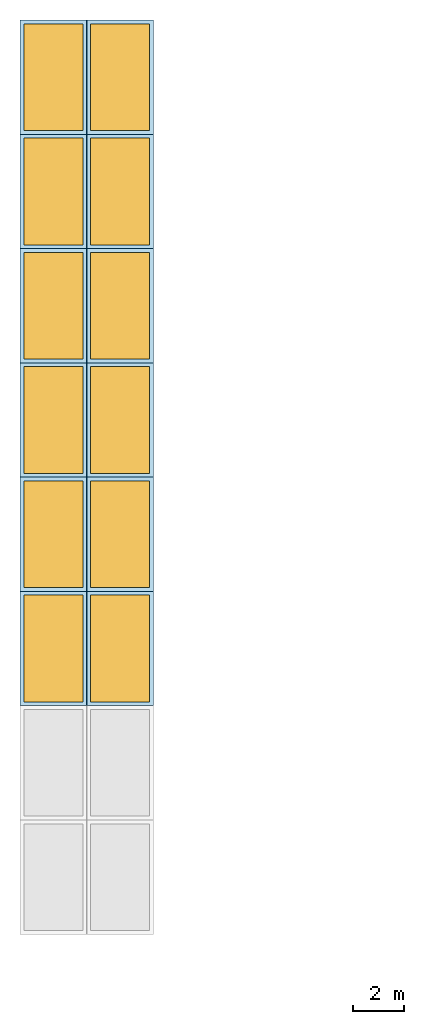
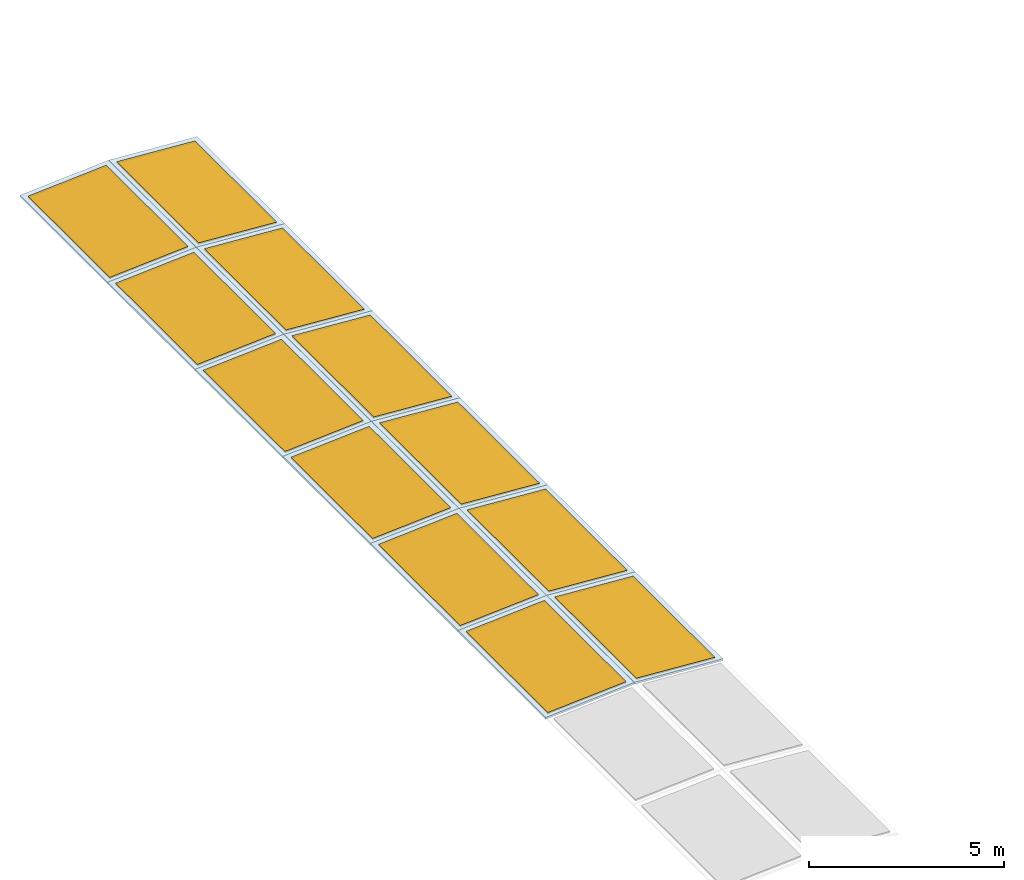
# One storey, part 10 of 19: 12 slabs, 12 windows, 12 openings.
"""IFC4 building model written with IfcOpenShell, lengths in metres."""

from ifc_helpers import new_model, si_unit, direction, frame, origin, origin_2d, place, context, subcontext, project, spatial, polyline, rectangle, outline, extrude, material, layer, layer_set, type_object, element, fill, save


model = new_model("IFC4")

# Units and contexts
model_context = context("Model", 3, precision=1e-05, world=origin(), true_north=direction((0.0, 1.0)))
body_context = subcontext(model_context, "Body", "Model", "MODEL_VIEW")
ifc_project = project(units=[si_unit("LENGTHUNIT", "METRE"), si_unit("AREAUNIT", "SQUARE_METRE"), si_unit("VOLUMEUNIT", "CUBIC_METRE"), si_unit("PLANEANGLEUNIT", "RADIAN"), si_unit("MASSUNIT", "GRAM", prefix="KILO")], contexts=[model_context])

# Site, building, storey
site_placement = place(None, origin())
site = spatial("IfcSite", under=ifc_project, at=site_placement, CompositionType="ELEMENT")
building_placement = place(site_placement, origin())
building = spatial("IfcBuilding", under=site, at=building_placement, Name="Guidao Yard Department Store", CompositionType="ELEMENT")
storey_placement = place(building_placement, frame((0.0, 0.0, 33.0)))
storey = spatial("IfcBuildingStorey", under=building, at=storey_placement, Name="L07", CompositionType="ELEMENT", Elevation=33.0)

# Slab, opening, window
ifc_material_1 = material(Name="Aluminium 6063-T5", Category="aluminium")
ifc_layer = layer(ifc_material_1, 0.06005859375)
ifc_layer_set = layer_set([ifc_layer], Name="Smoke vent frame SV2 aluminium")
slab_type = type_object("IfcSlabType", Name="Smoke vent frame SV2 aluminium", PredefinedType="ROOF", material=ifc_layer_set)
slab_1_placement = place(storey_placement, frame((28.873046875, 63.0, 1.9853515625), z_axis=(-0.068349512992, 0.0, 0.9976614376), x_axis=(0.9976614376, 0.0, 0.068349512992)))
slab_1 = element("IfcSlab", 1, at=slab_1_placement, inside=storey, type_object=slab_type, Name="Smoke vent frame A02-06A", PredefinedType="ROOF", context=body_context, shape_type="SweptSolid", body=[
    extrude(outline(polyline([(0.0, 0.0), (2.628950699633074, 0.0), (2.628950699633074, 4.499999999999999), (0.0, 4.499999999999999), (0.0, 0.0)])), origin(), (0.0, 0.0, -1.0), 0.06005859375),
])
opening_1_placement = place(slab_1_placement, frame((1.314697265625, 2.25, 0.0)))
opening_1 = element("IfcOpeningElement", 2, at=opening_1_placement, cuts=slab_1, Name="Opening SW-A02-06A", PredefinedType="OPENING", context=body_context, shape_type="SweptSolid", body=[
    extrude(rectangle(XDim=2.3291015625, YDim=4.199951171875, at=origin_2d()), frame((0.0, 0.0, 0.010009765625)), (0.0, 0.0, -1.0), 0.080078125),
])
ifc_material_2 = material(Name="Laminated glass in Aluminium 6063-T5 frame", Category="aluminium")
window_type = type_object("IfcWindowType", Name="Smoke vent SV2 operable skylight", PartitioningType="SINGLE_PANEL", PredefinedType="SKYLIGHT", material=ifc_material_2)
window_1_placement = place(opening_1_placement, frame((0.0, 0.0, -0.050048828125)))
window_1 = element("IfcWindow", 3, at=window_1_placement, inside=storey, type_object=window_type, Name="Smoke vent A02-06A", OverallHeight=4.199951171875, OverallWidth=2.3291015625, PartitioningType="SINGLE_PANEL", PredefinedType="SKYLIGHT", context=body_context, shape_type="SweptSolid", body=[
    extrude(rectangle(XDim=2.3291015625, YDim=4.199951171875, at=origin_2d()), origin(), (0.0, 0.0, 1.0), 0.050048828125),
])
fill(opening_1, window_1)

slab_2_placement = place(storey_placement, frame((28.873046875, 67.5, 1.9853515625), z_axis=(-0.068349512992, 0.0, 0.9976614376), x_axis=(0.9976614376, 0.0, 0.068349512992)))
slab_2 = element("IfcSlab", 4, at=slab_2_placement, inside=storey, type_object=slab_type, Name="Smoke vent frame A02-06B", PredefinedType="ROOF", context=body_context, shape_type="SweptSolid", body=[
    extrude(outline(polyline([(0.0, 0.0), (2.628950699633074, 0.0), (2.628950699633074, 4.499999999999999), (0.0, 4.499999999999999), (0.0, 0.0)])), origin(), (0.0, 0.0, -1.0), 0.06005859375),
])
opening_2_placement = place(slab_2_placement, frame((1.314697265625, 2.25, 0.0)))
opening_2 = element("IfcOpeningElement", 5, at=opening_2_placement, cuts=slab_2, Name="Opening SW-A02-06B", PredefinedType="OPENING", context=body_context, shape_type="SweptSolid", body=[
    extrude(rectangle(XDim=2.3291015625, YDim=4.199951171875, at=origin_2d()), frame((0.0, 0.0, 0.010009765625)), (0.0, 0.0, -1.0), 0.080078125),
])
window_2_placement = place(opening_2_placement, frame((0.0, 0.0, -0.050048828125)))
window_2 = element("IfcWindow", 6, at=window_2_placement, inside=storey, type_object=window_type, Name="Smoke vent A02-06B", OverallHeight=4.199951171875, OverallWidth=2.3291015625, PartitioningType="SINGLE_PANEL", PredefinedType="SKYLIGHT", context=body_context, shape_type="SweptSolid", body=[
    extrude(rectangle(XDim=2.3291015625, YDim=4.199951171875, at=origin_2d()), origin(), (0.0, 0.0, 1.0), 0.050048828125),
])
fill(opening_2, window_2)

slab_3_placement = place(storey_placement, frame((31.504150390625, 63.0, 2.1650390625), z_axis=(0.068349512992, 0.0, 0.9976614376), x_axis=(0.9976614376, 0.0, -0.068349512992)))
slab_3 = element("IfcSlab", 7, at=slab_3_placement, inside=storey, type_object=slab_type, Name="Smoke vent frame A02-07A", PredefinedType="ROOF", context=body_context, shape_type="SweptSolid", body=[
    extrude(outline(polyline([(0.0, 0.0), (2.628950699633074, 0.0), (2.628950699633074, 4.499999999999999), (0.0, 4.499999999999999), (0.0, 0.0)])), origin(), (0.0, 0.0, -1.0), 0.06005859375),
])
opening_3_placement = place(slab_3_placement, frame((1.314697265625, 2.25, 0.0)))
opening_3 = element("IfcOpeningElement", 8, at=opening_3_placement, cuts=slab_3, Name="Opening SW-A02-07A", PredefinedType="OPENING", context=body_context, shape_type="SweptSolid", body=[
    extrude(rectangle(XDim=2.3291015625, YDim=4.199951171875, at=origin_2d()), frame((0.0, 0.0, 0.010009765625)), (0.0, 0.0, -1.0), 0.080078125),
])
window_3_placement = place(opening_3_placement, frame((0.0, 0.0, -0.050048828125)))
window_3 = element("IfcWindow", 9, at=window_3_placement, inside=storey, type_object=window_type, Name="Smoke vent A02-07A", OverallHeight=4.199951171875, OverallWidth=2.3291015625, PartitioningType="SINGLE_PANEL", PredefinedType="SKYLIGHT", context=body_context, shape_type="SweptSolid", body=[
    extrude(rectangle(XDim=2.3291015625, YDim=4.199951171875, at=origin_2d()), origin(), (0.0, 0.0, 1.0), 0.050048828125),
])
fill(opening_3, window_3)

slab_4_placement = place(storey_placement, frame((31.504150390625, 67.5, 2.1650390625), z_axis=(0.068349512992, 0.0, 0.9976614376), x_axis=(0.9976614376, 0.0, -0.068349512992)))
slab_4 = element("IfcSlab", 10, at=slab_4_placement, inside=storey, type_object=slab_type, Name="Smoke vent frame A02-07B", PredefinedType="ROOF", context=body_context, shape_type="SweptSolid", body=[
    extrude(outline(polyline([(0.0, 0.0), (2.628950699633074, 0.0), (2.628950699633074, 4.499999999999999), (0.0, 4.499999999999999), (0.0, 0.0)])), origin(), (0.0, 0.0, -1.0), 0.06005859375),
])
opening_4_placement = place(slab_4_placement, frame((1.314697265625, 2.25, 0.0)))
opening_4 = element("IfcOpeningElement", 11, at=opening_4_placement, cuts=slab_4, Name="Opening SW-A02-07B", PredefinedType="OPENING", context=body_context, shape_type="SweptSolid", body=[
    extrude(rectangle(XDim=2.3291015625, YDim=4.199951171875, at=origin_2d()), frame((0.0, 0.0, 0.010009765625)), (0.0, 0.0, -1.0), 0.080078125),
])
window_4_placement = place(opening_4_placement, frame((0.0, 0.0, -0.050048828125)))
window_4 = element("IfcWindow", 12, at=window_4_placement, inside=storey, type_object=window_type, Name="Smoke vent A02-07B", OverallHeight=4.199951171875, OverallWidth=2.3291015625, PartitioningType="SINGLE_PANEL", PredefinedType="SKYLIGHT", context=body_context, shape_type="SweptSolid", body=[
    extrude(rectangle(XDim=2.3291015625, YDim=4.199951171875, at=origin_2d()), origin(), (0.0, 0.0, 1.0), 0.050048828125),
])
fill(opening_4, window_4)

slab_5_placement = place(storey_placement, frame((28.873046875, 72.0, 1.9853515625), z_axis=(-0.068349512992, 0.0, 0.9976614376), x_axis=(0.9976614376, 0.0, 0.068349512992)))
slab_5 = element("IfcSlab", 13, at=slab_5_placement, inside=storey, type_object=slab_type, Name="Smoke vent frame A03-06A", PredefinedType="ROOF", context=body_context, shape_type="SweptSolid", body=[
    extrude(outline(polyline([(0.0, 0.0), (2.628950699633074, 0.0), (2.628950699633074, 4.499999999999999), (0.0, 4.499999999999999), (0.0, 0.0)])), origin(), (0.0, 0.0, -1.0), 0.06005859375),
])
opening_5_placement = place(slab_5_placement, frame((1.314697265625, 2.25, 0.0)))
opening_5 = element("IfcOpeningElement", 14, at=opening_5_placement, cuts=slab_5, Name="Opening SW-A03-06A", PredefinedType="OPENING", context=body_context, shape_type="SweptSolid", body=[
    extrude(rectangle(XDim=2.3291015625, YDim=4.199951171875, at=origin_2d()), frame((0.0, 0.0, 0.010009765625)), (0.0, 0.0, -1.0), 0.080078125),
])
window_5_placement = place(opening_5_placement, frame((0.0, 0.0, -0.050048828125)))
window_5 = element("IfcWindow", 15, at=window_5_placement, inside=storey, type_object=window_type, Name="Smoke vent A03-06A", OverallHeight=4.199951171875, OverallWidth=2.3291015625, PartitioningType="SINGLE_PANEL", PredefinedType="SKYLIGHT", context=body_context, shape_type="SweptSolid", body=[
    extrude(rectangle(XDim=2.3291015625, YDim=4.199951171875, at=origin_2d()), origin(), (0.0, 0.0, 1.0), 0.050048828125),
])
fill(opening_5, window_5)

slab_6_placement = place(storey_placement, frame((28.873046875, 76.5, 1.9853515625), z_axis=(-0.068349512992, 0.0, 0.9976614376), x_axis=(0.9976614376, 0.0, 0.068349512992)))
slab_6 = element("IfcSlab", 16, at=slab_6_placement, inside=storey, type_object=slab_type, Name="Smoke vent frame A03-06B", PredefinedType="ROOF", context=body_context, shape_type="SweptSolid", body=[
    extrude(outline(polyline([(0.0, 0.0), (2.628950699633074, 0.0), (2.628950699633074, 4.499999999999999), (0.0, 4.499999999999999), (0.0, 0.0)])), origin(), (0.0, 0.0, -1.0), 0.06005859375),
])
opening_6_placement = place(slab_6_placement, frame((1.314697265625, 2.25, 0.0)))
opening_6 = element("IfcOpeningElement", 17, at=opening_6_placement, cuts=slab_6, Name="Opening SW-A03-06B", PredefinedType="OPENING", context=body_context, shape_type="SweptSolid", body=[
    extrude(rectangle(XDim=2.3291015625, YDim=4.199951171875, at=origin_2d()), frame((0.0, 0.0, 0.010009765625)), (0.0, 0.0, -1.0), 0.080078125),
])
window_6_placement = place(opening_6_placement, frame((0.0, 0.0, -0.050048828125)))
window_6 = element("IfcWindow", 18, at=window_6_placement, inside=storey, type_object=window_type, Name="Smoke vent A03-06B", OverallHeight=4.199951171875, OverallWidth=2.3291015625, PartitioningType="SINGLE_PANEL", PredefinedType="SKYLIGHT", context=body_context, shape_type="SweptSolid", body=[
    extrude(rectangle(XDim=2.3291015625, YDim=4.199951171875, at=origin_2d()), origin(), (0.0, 0.0, 1.0), 0.050048828125),
])
fill(opening_6, window_6)

slab_7_placement = place(storey_placement, frame((31.504150390625, 72.0, 2.1650390625), z_axis=(0.068349512992, 0.0, 0.9976614376), x_axis=(0.9976614376, 0.0, -0.068349512992)))
slab_7 = element("IfcSlab", 19, at=slab_7_placement, inside=storey, type_object=slab_type, Name="Smoke vent frame A03-07A", PredefinedType="ROOF", context=body_context, shape_type="SweptSolid", body=[
    extrude(outline(polyline([(0.0, 0.0), (2.628950699633074, 0.0), (2.628950699633074, 4.499999999999999), (0.0, 4.499999999999999), (0.0, 0.0)])), origin(), (0.0, 0.0, -1.0), 0.06005859375),
])
opening_7_placement = place(slab_7_placement, frame((1.314697265625, 2.25, 0.0)))
opening_7 = element("IfcOpeningElement", 20, at=opening_7_placement, cuts=slab_7, Name="Opening SW-A03-07A", PredefinedType="OPENING", context=body_context, shape_type="SweptSolid", body=[
    extrude(rectangle(XDim=2.3291015625, YDim=4.199951171875, at=origin_2d()), frame((0.0, 0.0, 0.010009765625)), (0.0, 0.0, -1.0), 0.080078125),
])
window_7_placement = place(opening_7_placement, frame((0.0, 0.0, -0.050048828125)))
window_7 = element("IfcWindow", 21, at=window_7_placement, inside=storey, type_object=window_type, Name="Smoke vent A03-07A", OverallHeight=4.199951171875, OverallWidth=2.3291015625, PartitioningType="SINGLE_PANEL", PredefinedType="SKYLIGHT", context=body_context, shape_type="SweptSolid", body=[
    extrude(rectangle(XDim=2.3291015625, YDim=4.199951171875, at=origin_2d()), origin(), (0.0, 0.0, 1.0), 0.050048828125),
])
fill(opening_7, window_7)

slab_8_placement = place(storey_placement, frame((31.504150390625, 76.5, 2.1650390625), z_axis=(0.068349512992, 0.0, 0.9976614376), x_axis=(0.9976614376, 0.0, -0.068349512992)))
slab_8 = element("IfcSlab", 22, at=slab_8_placement, inside=storey, type_object=slab_type, Name="Smoke vent frame A03-07B", PredefinedType="ROOF", context=body_context, shape_type="SweptSolid", body=[
    extrude(outline(polyline([(0.0, 0.0), (2.628950699633074, 0.0), (2.628950699633074, 4.499999999999999), (0.0, 4.499999999999999), (0.0, 0.0)])), origin(), (0.0, 0.0, -1.0), 0.06005859375),
])
opening_8_placement = place(slab_8_placement, frame((1.314697265625, 2.25, 0.0)))
opening_8 = element("IfcOpeningElement", 23, at=opening_8_placement, cuts=slab_8, Name="Opening SW-A03-07B", PredefinedType="OPENING", context=body_context, shape_type="SweptSolid", body=[
    extrude(rectangle(XDim=2.3291015625, YDim=4.199951171875, at=origin_2d()), frame((0.0, 0.0, 0.010009765625)), (0.0, 0.0, -1.0), 0.080078125),
])
window_8_placement = place(opening_8_placement, frame((0.0, 0.0, -0.050048828125)))
window_8 = element("IfcWindow", 24, at=window_8_placement, inside=storey, type_object=window_type, Name="Smoke vent A03-07B", OverallHeight=4.199951171875, OverallWidth=2.3291015625, PartitioningType="SINGLE_PANEL", PredefinedType="SKYLIGHT", context=body_context, shape_type="SweptSolid", body=[
    extrude(rectangle(XDim=2.3291015625, YDim=4.199951171875, at=origin_2d()), origin(), (0.0, 0.0, 1.0), 0.050048828125),
])
fill(opening_8, window_8)

slab_9_placement = place(storey_placement, frame((28.873046875, 81.0, 1.9853515625), z_axis=(-0.068349512992, 0.0, 0.9976614376), x_axis=(0.9976614376, 0.0, 0.068349512992)))
slab_9 = element("IfcSlab", 25, at=slab_9_placement, inside=storey, type_object=slab_type, Name="Smoke vent frame A04-06A", PredefinedType="ROOF", context=body_context, shape_type="SweptSolid", body=[
    extrude(outline(polyline([(0.0, 0.0), (2.628950699633074, 0.0), (2.628950699633074, 4.499999999999999), (0.0, 4.499999999999999), (0.0, 0.0)])), origin(), (0.0, 0.0, -1.0), 0.06005859375),
])
opening_9_placement = place(slab_9_placement, frame((1.314697265625, 2.25, 0.0)))
opening_9 = element("IfcOpeningElement", 26, at=opening_9_placement, cuts=slab_9, Name="Opening SW-A04-06A", PredefinedType="OPENING", context=body_context, shape_type="SweptSolid", body=[
    extrude(rectangle(XDim=2.3291015625, YDim=4.199951171875, at=origin_2d()), frame((0.0, 0.0, 0.010009765625)), (0.0, 0.0, -1.0), 0.080078125),
])
window_9_placement = place(opening_9_placement, frame((0.0, 0.0, -0.050048828125)))
window_9 = element("IfcWindow", 27, at=window_9_placement, inside=storey, type_object=window_type, Name="Smoke vent A04-06A", OverallHeight=4.199951171875, OverallWidth=2.3291015625, PartitioningType="SINGLE_PANEL", PredefinedType="SKYLIGHT", context=body_context, shape_type="SweptSolid", body=[
    extrude(rectangle(XDim=2.3291015625, YDim=4.199951171875, at=origin_2d()), origin(), (0.0, 0.0, 1.0), 0.050048828125),
])
fill(opening_9, window_9)

slab_10_placement = place(storey_placement, frame((28.873046875, 85.5, 1.9853515625), z_axis=(-0.068349512992, 0.0, 0.9976614376), x_axis=(0.9976614376, 0.0, 0.068349512992)))
slab_10 = element("IfcSlab", 28, at=slab_10_placement, inside=storey, type_object=slab_type, Name="Smoke vent frame A04-06B", PredefinedType="ROOF", context=body_context, shape_type="SweptSolid", body=[
    extrude(outline(polyline([(0.0, 0.0), (2.628950699633074, 0.0), (2.628950699633074, 4.499999999999999), (0.0, 4.499999999999999), (0.0, 0.0)])), origin(), (0.0, 0.0, -1.0), 0.06005859375),
])
opening_10_placement = place(slab_10_placement, frame((1.314697265625, 2.25, 0.0)))
opening_10 = element("IfcOpeningElement", 29, at=opening_10_placement, cuts=slab_10, Name="Opening SW-A04-06B", PredefinedType="OPENING", context=body_context, shape_type="SweptSolid", body=[
    extrude(rectangle(XDim=2.3291015625, YDim=4.199951171875, at=origin_2d()), frame((0.0, 0.0, 0.010009765625)), (0.0, 0.0, -1.0), 0.080078125),
])
window_10_placement = place(opening_10_placement, frame((0.0, 0.0, -0.050048828125)))
window_10 = element("IfcWindow", 30, at=window_10_placement, inside=storey, type_object=window_type, Name="Smoke vent A04-06B", OverallHeight=4.199951171875, OverallWidth=2.3291015625, PartitioningType="SINGLE_PANEL", PredefinedType="SKYLIGHT", context=body_context, shape_type="SweptSolid", body=[
    extrude(rectangle(XDim=2.3291015625, YDim=4.199951171875, at=origin_2d()), origin(), (0.0, 0.0, 1.0), 0.050048828125),
])
fill(opening_10, window_10)

slab_11_placement = place(storey_placement, frame((31.504150390625, 81.0, 2.1650390625), z_axis=(0.068349512992, 0.0, 0.9976614376), x_axis=(0.9976614376, 0.0, -0.068349512992)))
slab_11 = element("IfcSlab", 31, at=slab_11_placement, inside=storey, type_object=slab_type, Name="Smoke vent frame A04-07A", PredefinedType="ROOF", context=body_context, shape_type="SweptSolid", body=[
    extrude(outline(polyline([(0.0, 0.0), (2.628950699633074, 0.0), (2.628950699633074, 4.499999999999999), (0.0, 4.499999999999999), (0.0, 0.0)])), origin(), (0.0, 0.0, -1.0), 0.06005859375),
])
opening_11_placement = place(slab_11_placement, frame((1.314697265625, 2.25, 0.0)))
opening_11 = element("IfcOpeningElement", 32, at=opening_11_placement, cuts=slab_11, Name="Opening SW-A04-07A", PredefinedType="OPENING", context=body_context, shape_type="SweptSolid", body=[
    extrude(rectangle(XDim=2.3291015625, YDim=4.199951171875, at=origin_2d()), frame((0.0, 0.0, 0.010009765625)), (0.0, 0.0, -1.0), 0.080078125),
])
window_11_placement = place(opening_11_placement, frame((0.0, 0.0, -0.050048828125)))
window_11 = element("IfcWindow", 33, at=window_11_placement, inside=storey, type_object=window_type, Name="Smoke vent A04-07A", OverallHeight=4.199951171875, OverallWidth=2.3291015625, PartitioningType="SINGLE_PANEL", PredefinedType="SKYLIGHT", context=body_context, shape_type="SweptSolid", body=[
    extrude(rectangle(XDim=2.3291015625, YDim=4.199951171875, at=origin_2d()), origin(), (0.0, 0.0, 1.0), 0.050048828125),
])
fill(opening_11, window_11)

slab_12_placement = place(storey_placement, frame((31.504150390625, 85.5, 2.1650390625), z_axis=(0.068349512992, 0.0, 0.9976614376), x_axis=(0.9976614376, 0.0, -0.068349512992)))
slab_12 = element("IfcSlab", 34, at=slab_12_placement, inside=storey, type_object=slab_type, Name="Smoke vent frame A04-07B", PredefinedType="ROOF", context=body_context, shape_type="SweptSolid", body=[
    extrude(outline(polyline([(0.0, 0.0), (2.628950699633074, 0.0), (2.628950699633074, 4.499999999999999), (0.0, 4.499999999999999), (0.0, 0.0)])), origin(), (0.0, 0.0, -1.0), 0.06005859375),
])
opening_12_placement = place(slab_12_placement, frame((1.314697265625, 2.25, 0.0)))
opening_12 = element("IfcOpeningElement", 35, at=opening_12_placement, cuts=slab_12, Name="Opening SW-A04-07B", PredefinedType="OPENING", context=body_context, shape_type="SweptSolid", body=[
    extrude(rectangle(XDim=2.3291015625, YDim=4.199951171875, at=origin_2d()), frame((0.0, 0.0, 0.010009765625)), (0.0, 0.0, -1.0), 0.080078125),
])
window_12_placement = place(opening_12_placement, frame((0.0, 0.0, -0.050048828125)))
window_12 = element("IfcWindow", 36, at=window_12_placement, inside=storey, type_object=window_type, Name="Smoke vent A04-07B", OverallHeight=4.199951171875, OverallWidth=2.3291015625, PartitioningType="SINGLE_PANEL", PredefinedType="SKYLIGHT", context=body_context, shape_type="SweptSolid", body=[
    extrude(rectangle(XDim=2.3291015625, YDim=4.199951171875, at=origin_2d()), origin(), (0.0, 0.0, 1.0), 0.050048828125),
])
fill(opening_12, window_12)

save(model, "model.ifc")
